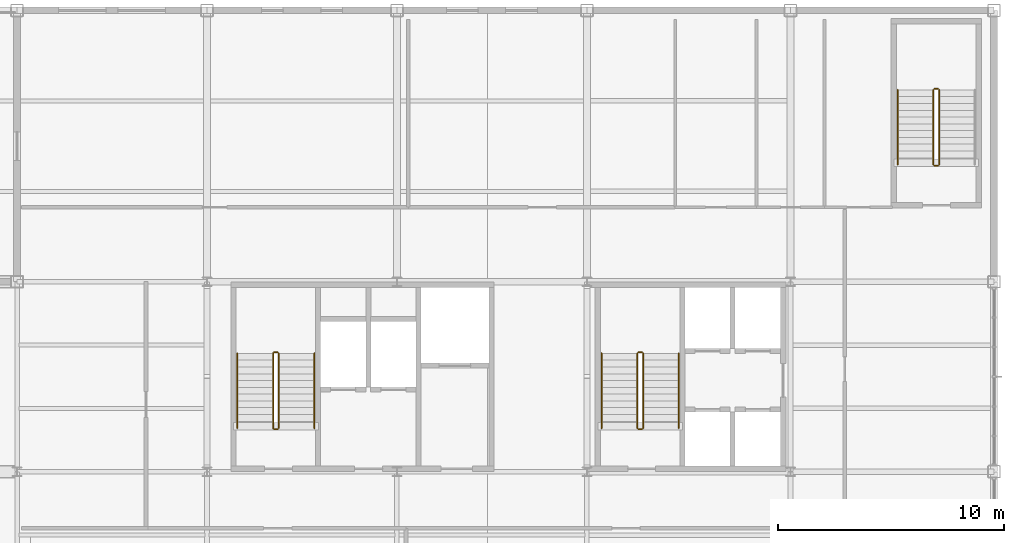
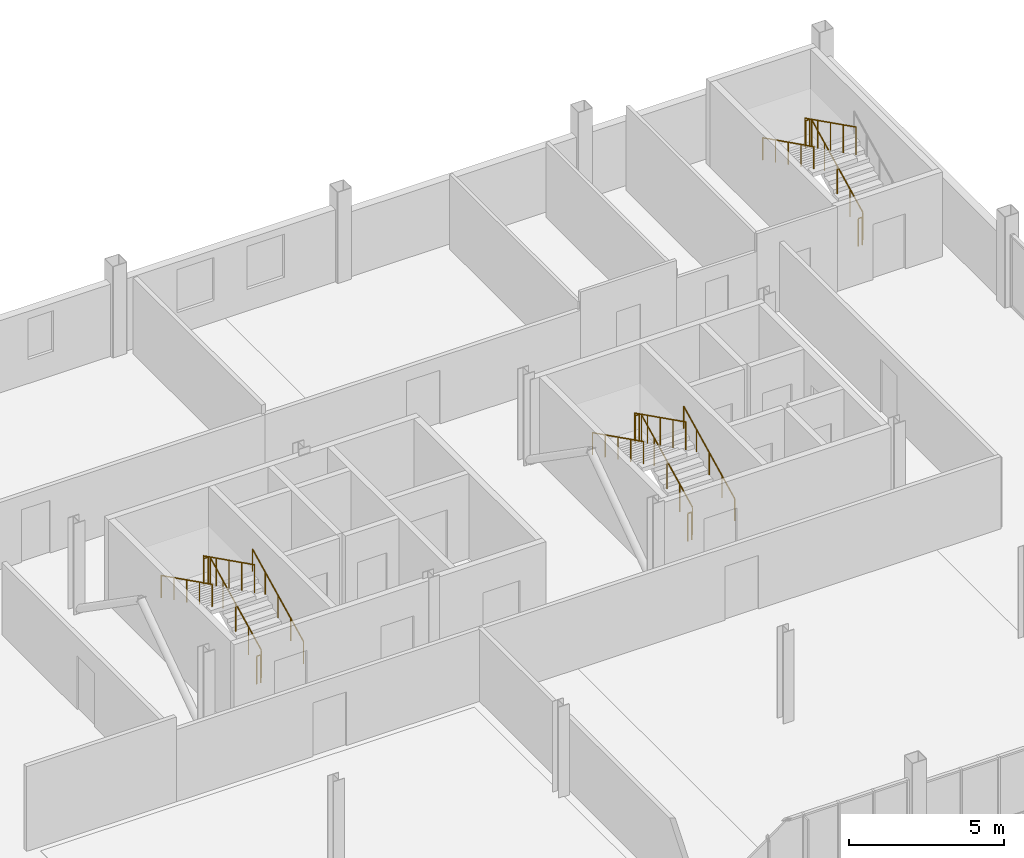
# One storey, part 17 of 18: 17 railings.
"""IFC4 building model written with IfcOpenShell, lengths in metres."""

import ifcopenshell
import ifcopenshell.guid

model = None  # the IFC model being written
_history = None  # IfcOwnerHistory: only IFC2X3 demands one
_inside = {}  # id of a spatial element -> (the spatial element, [elements in it])
_under = {}  # id of a project, library or spatial element -> (it, [spatial elements below it])
_declared = {}  # id of a project -> (the project, [libraries it declares])
_typed = {}  # id of a type object -> (the type object, [elements of that type])
_made_of = {}  # id of a material, layer set ... -> (it, [elements and type objects made of it])


def new_model(schema):
    """Start an empty IFC model of exactly this schema.

    Asked for "IFC4X3", IfcOpenShell would pick the latest addendum, in which some entities
    have other attributes; the version numbers below select the first issue.
    IFC2X3 requires an IfcOwnerHistory on every rooted entity: one is made here for all.
    """
    global model, _history
    if schema == "IFC4X3":
        model = ifcopenshell.file(schema_version=(4, 3, 0, 0))
    else:
        model = ifcopenshell.file(schema=schema)
    _inside.clear()
    _under.clear()
    _declared.clear()
    _typed.clear()
    _made_of.clear()
    _history = None
    if model.schema == "IFC2X3":
        org = make("IfcOrganization", Name="unknown")
        user = make(
            "IfcPersonAndOrganization",
            ThePerson=make("IfcPerson", FamilyName="unknown"),
            TheOrganization=org,
        )
        app = make(
            "IfcApplication",
            ApplicationDeveloper=org,
            Version="unknown",
            ApplicationFullName="unknown",
            ApplicationIdentifier="unknown",
        )
        _history = make(
            "IfcOwnerHistory",
            OwningUser=user,
            OwningApplication=app,
            ChangeAction="ADDED",
            CreationDate=0,
        )
    return model


def make(cls, **values):
    """One entity of the class cls with the attributes given. An attribute that is None is left unset."""
    return model.create_entity(
        cls, **{name: value for name, value in values.items() if value is not None}
    )


def rooted(cls, **values):
    """An entity with a GlobalId (a new one), such as an element, a storey or a relation."""
    return make(cls, GlobalId=ifcopenshell.guid.new(), OwnerHistory=_history, **values)


def si_unit(unit_type, name, prefix=None):
    """IfcSIUnit, for example si_unit("LENGTHUNIT", "METRE", prefix="MILLI")."""
    return make("IfcSIUnit", UnitType=unit_type, Prefix=prefix, Name=name)


def assignment(units):
    """IfcUnitAssignment: the units of a project."""
    return None if units is None else make("IfcUnitAssignment", Units=units)


def point(xyz):
    """IfcCartesianPoint."""
    return None if xyz is None else make("IfcCartesianPoint", Coordinates=xyz)


def direction(xyz):
    """IfcDirection."""
    return None if xyz is None else make("IfcDirection", DirectionRatios=xyz)


def frame(location, z_axis=None, x_axis=None):
    """IfcAxis2Placement3D, a coordinate frame: its origin and axes. An axis left out is left unset."""
    return make(
        "IfcAxis2Placement3D",
        Location=point(location),
        Axis=direction(z_axis),
        RefDirection=direction(x_axis),
    )


def frame_2d(location, x_axis=None):
    """IfcAxis2Placement2D, a coordinate frame in the plane: its origin and x axis."""
    return make(
        "IfcAxis2Placement2D", Location=point(location), RefDirection=direction(x_axis)
    )


def origin():
    """The frame at (0, 0, 0) with its axes left unset."""
    return frame((0.0, 0.0, 0.0))


def origin_2d():
    """The frame at (0, 0) in the plane with its x axis left unset."""
    return frame_2d((0.0, 0.0))


def place(relative_to, where):
    """IfcLocalPlacement: puts the frame where relative to a parent placement (None: the world)."""
    return make(
        "IfcLocalPlacement", PlacementRelTo=relative_to, RelativePlacement=where
    )


def context(
    kind, dimensions, precision=None, world=None, true_north=None, identifier=None
):
    """IfcGeometricRepresentationContext, for example the 3D "Model" context."""
    return make(
        "IfcGeometricRepresentationContext",
        ContextIdentifier=identifier,
        ContextType=kind,
        CoordinateSpaceDimension=dimensions,
        Precision=precision,
        WorldCoordinateSystem=world,
        TrueNorth=true_north,
    )


def subcontext(parent, identifier, kind, view, scale=None):
    """IfcGeometricRepresentationSubContext, for example "Body" below "Model"."""
    return make(
        "IfcGeometricRepresentationSubContext",
        ContextIdentifier=identifier,
        ContextType=kind,
        ParentContext=parent,
        TargetScale=scale,
        TargetView=view,
    )


def project(units=None, contexts=None):
    """IfcProject with its units and contexts."""
    return rooted(
        "IfcProject",
        Name="project",
        RepresentationContexts=contexts,
        UnitsInContext=assignment(units),
    )


def spatial(cls, under=None, at=None, **own):
    """A site, building, storey or space (cls), placed at a placement, below another one or the project."""
    s = rooted(cls, ObjectPlacement=at, **own)
    if under is not None:
        _under.setdefault(under.id(), (under, []))[1].append(s)
    return s


def profile(cls, at=None, kind="AREA", **sizes):
    """A parametric profile (cls). Its sizes go by their IFC names, for example OverallWidth=200.0."""
    return make(cls, ProfileType=kind, Position=at, **sizes)


def circle(**sizes):
    """IfcCircleProfileDef."""
    return profile("IfcCircleProfileDef", **sizes)


def extrude(swept, where, along, depth):
    """IfcExtrudedAreaSolid: the profile swept, set in the frame where, extruded along a direction by depth."""
    return make(
        "IfcExtrudedAreaSolid",
        SweptArea=swept,
        Position=where,
        ExtrudedDirection=direction(along),
        Depth=depth,
    )


def shape(context_of_items, identifier, shape_type, items):
    """IfcShapeRepresentation: the items that make up one representation, for example the "Body"."""
    return make(
        "IfcShapeRepresentation",
        ContextOfItems=context_of_items,
        RepresentationIdentifier=identifier,
        RepresentationType=shape_type,
        Items=items,
    )


def material(Name=None, Category=None):
    """IfcMaterial."""
    return make("IfcMaterial", Name=Name, Category=Category)


def layer(
    of_material, thickness, ventilated=None, Name=None, Category=None, Priority=None
):
    """IfcMaterialLayer: one layer of a wall or slab, of a material (None: an air gap)."""
    return make(
        "IfcMaterialLayer",
        Material=of_material,
        LayerThickness=thickness,
        IsVentilated=ventilated,
        Name=Name,
        Category=Category,
        Priority=Priority,
    )


def layer_set(layers, Name=None):
    """IfcMaterialLayerSet."""
    return make("IfcMaterialLayerSet", MaterialLayers=layers, LayerSetName=Name)


def made_of(thing, what):
    """Note that an element or type object is made of a material, layer set ...; save() writes the relation."""
    if what is not None:
        _made_of.setdefault(what.id(), (what, []))[1].append(thing)
    return thing


def type_object(cls, material=None, **own):
    """A type object (cls), such as IfcWallType, which elements share."""
    return made_of(rooted(cls, **own), material)


def element(
    cls,
    number,
    at=None,
    inside=None,
    cuts=None,
    type_object=None,
    material=None,
    context=None,
    identifier="Body",
    shape_type=None,
    held_by="IfcProductDefinitionShape",
    body=None,
    shapes=None,
    **own,
):
    """One element of the class cls, such as IfcWall. Its Tag is "e" and its number.

    at: its placement. inside: the storey or other place that contains it. cuts: it is an
    opening in that element (IfcRelVoidsElement). A single representation is given by context,
    identifier, shape_type and body (its items); several are given by shapes. held_by: the class
    of the entity that holds the representations. save() writes the other relations.
    """
    e = rooted(cls, Tag="e%d" % number, ObjectPlacement=at, **own)
    if body is not None:
        shapes = [shape(context, identifier, shape_type, body)]
    if shapes is not None:
        e.Representation = make(held_by, Representations=shapes)
    if inside is not None:
        _inside.setdefault(inside.id(), (inside, []))[1].append(e)
    if cuts is not None:
        rooted(
            "IfcRelVoidsElement", RelatingBuildingElement=cuts, RelatedOpeningElement=e
        )
    if type_object is not None:
        _typed.setdefault(type_object.id(), (type_object, []))[1].append(e)
    return made_of(e, material)


def aggregate(whole, parts):
    """IfcRelAggregates: a whole, such as a stair, and the parts it consists of."""
    return rooted("IfcRelAggregates", RelatingObject=whole, RelatedObjects=parts)


def save(model, path):
    """Write the relations noted so far, then the file.

    IfcRelAggregates (storeys below a building ...), IfcRelContainedInSpatialStructure (elements
    in a storey), IfcRelDefinesByType, IfcRelAssociatesMaterial and IfcRelDeclares: one each for
    every whole, place, type object, material and project.
    """
    for whole, parts in _under.values():
        aggregate(whole, parts)
    for where, things in _inside.values():
        rooted(
            "IfcRelContainedInSpatialStructure",
            RelatedElements=things,
            RelatingStructure=where,
        )
    for kind, things in _typed.values():
        rooted("IfcRelDefinesByType", RelatedObjects=things, RelatingType=kind)
    for what, things in _made_of.values():
        rooted("IfcRelAssociatesMaterial", RelatedObjects=things, RelatingMaterial=what)
    for by, libraries in _declared.values():
        rooted("IfcRelDeclares", RelatingContext=by, RelatedDefinitions=libraries)
    model.write(path)


model = new_model("IFC4")

# Units and contexts
model_context = context("Model", 3, precision=1e-05, world=origin(), true_north=direction((0.0, 1.0)))
body_context = subcontext(model_context, "Body", "Model", "MODEL_VIEW")
ifc_project = project(units=[si_unit("LENGTHUNIT", "METRE"), si_unit("AREAUNIT", "SQUARE_METRE"), si_unit("VOLUMEUNIT", "CUBIC_METRE"), si_unit("PLANEANGLEUNIT", "RADIAN"), si_unit("MASSUNIT", "GRAM", prefix="KILO")], contexts=[model_context])

# Site, building, storey
site_placement = place(None, origin())
site = spatial("IfcSite", under=ifc_project, at=site_placement, CompositionType="ELEMENT")
building_placement = place(site_placement, origin())
building = spatial("IfcBuilding", under=site, at=building_placement, Name="Yukiwa Park Conservatory and Herbarium", CompositionType="ELEMENT")
storey_placement = place(building_placement, frame((0.0, 0.0, 21.0)))
storey = spatial("IfcBuildingStorey", under=building, at=storey_placement, Name="L05", CompositionType="ELEMENT", Elevation=21.0)

# Railings
ifc_material_1 = material(Name="Steel Q235B", Category="steel")
ifc_layer_1 = layer(ifc_material_1, 0.050048828125)
ifc_layer_set_1 = layer_set([ifc_layer_1], Name="Steel Q235B")
railing_type_1 = type_object("IfcRailingType", Name="RL-STAIR-GUARD-1120", PredefinedType="BALUSTRADE", material=ifc_layer_set_1)
railing_1_placement = place(storey_placement, frame((136.3701171875, 96.72998046875, 0.14990234375)))
element("IfcRailing", 1, at=railing_1_placement, inside=storey, type_object=railing_type_1, Name="L05 ST-T1 stair guard 1", PredefinedType="BALUSTRADE", context=body_context, shape_type="SweptSolid", body=[
    extrude(circle(Radius=0.02392578125, at=origin_2d()), frame((0.0, 0.0, 1.09619140625), z_axis=(0.0, 0.894413956696, 0.447240063129), x_axis=(-1.0, 0.0, 0.0)), (0.0, 0.0, 1.0), 3.689697265625),
    extrude(circle(Radius=0.02099609375, at=origin_2d()), origin(), (0.0, 0.0, 1.0), 1.072021484375),
    extrude(circle(Radius=0.02099609375, at=origin_2d()), frame((0.0, 0.824951171875, 0.41259765625)), (0.0, 0.0, 1.0), 1.072021484375),
    extrude(circle(Radius=0.02099609375, at=origin_2d()), frame((0.0, 1.64990234375, 0.8251953125)), (0.0, 0.0, 1.0), 1.072021484375),
    extrude(circle(Radius=0.02099609375, at=origin_2d()), frame((0.0, 2.47509765625, 1.237548828125)), (0.0, 0.0, 1.0), 1.072021484375),
    extrude(circle(Radius=0.02099609375, at=origin_2d()), frame((0.0, 3.300048828125, 1.650146484375)), (0.0, 0.0, 1.0), 1.072021484375),
])
railing_2_placement = place(storey_placement, frame((136.320068359375, 100.080078125, 1.800048828125)))
element("IfcRailing", 2, at=railing_2_placement, inside=storey, type_object=railing_type_1, Name="L05 ST-T1 stair guard 2", PredefinedType="BALUSTRADE", context=body_context, shape_type="SweptSolid", body=[
    extrude(circle(Radius=0.02392578125, at=origin_2d()), frame((0.0, 0.0, 1.09619140625), z_axis=(-1.0, 0.0, 0.0), x_axis=(0.0, -1.0, 0.0)), (0.0, 0.0, 1.0), 0.150146484375),
    extrude(circle(Radius=0.02099609375, at=origin_2d()), origin(), (0.0, 0.0, 1.0), 1.072021484375),
    extrude(circle(Radius=0.02099609375, at=origin_2d()), frame((-0.150146484375, 0.0, 0.0)), (0.0, 0.0, 1.0), 1.072021484375),
])
railing_3_placement = place(storey_placement, frame((136.1201171875, 100.030029296875, 1.949951171875)))
element("IfcRailing", 3, at=railing_3_placement, inside=storey, type_object=railing_type_1, Name="L05 ST-T1 stair guard 3", PredefinedType="BALUSTRADE", context=body_context, shape_type="SweptSolid", body=[
    extrude(circle(Radius=0.02392578125, at=origin_2d()), frame((0.0, 0.0, 1.09619140625), z_axis=(0.0, -0.894413956696, 0.447240063129), x_axis=(1.0, 0.0, 0.0)), (0.0, 0.0, 1.0), 3.689697265625),
    extrude(circle(Radius=0.02099609375, at=origin_2d()), origin(), (0.0, 0.0, 1.0), 1.072021484375),
    extrude(circle(Radius=0.02099609375, at=origin_2d()), frame((0.0, -0.824951171875, 0.41259765625)), (0.0, 0.0, 1.0), 1.072021484375),
    extrude(circle(Radius=0.02099609375, at=origin_2d()), frame((0.0, -1.64990234375, 0.8251953125)), (0.0, 0.0, 1.0), 1.072021484375),
    extrude(circle(Radius=0.02099609375, at=origin_2d()), frame((0.0, -2.47509765625, 1.237548828125)), (0.0, 0.0, 1.0), 1.072021484375),
    extrude(circle(Radius=0.02099609375, at=origin_2d()), frame((0.0, -3.300048828125, 1.650146484375)), (0.0, 0.0, 1.0), 1.072021484375),
])
railing_4_placement = place(storey_placement, frame((136.320068359375, 96.679931640625, 0.0)))
element("IfcRailing", 4, at=railing_4_placement, inside=storey, type_object=railing_type_1, Name="L05 ST-T1 stair guard 4", PredefinedType="BALUSTRADE", context=body_context, shape_type="SweptSolid", body=[
    extrude(circle(Radius=0.02392578125, at=origin_2d()), frame((0.0, 0.0, 1.09619140625), z_axis=(-1.0, 0.0, 0.0), x_axis=(0.0, -1.0, 0.0)), (0.0, 0.0, 1.0), 0.150146484375),
    extrude(circle(Radius=0.02099609375, at=origin_2d()), origin(), (0.0, 0.0, 1.0), 1.072021484375),
    extrude(circle(Radius=0.02099609375, at=origin_2d()), frame((-0.150146484375, 0.0, 0.0)), (0.0, 0.0, 1.0), 1.072021484375),
])
railing_5_placement = place(storey_placement, frame((152.47998046875, 96.72998046875, 0.14990234375)))
element("IfcRailing", 5, at=railing_5_placement, inside=storey, type_object=railing_type_1, Name="L05 ST-T2 stair guard 1", PredefinedType="BALUSTRADE", context=body_context, shape_type="SweptSolid", body=[
    extrude(circle(Radius=0.02392578125, at=origin_2d()), frame((0.0, 0.0, 1.09619140625), z_axis=(0.0, 0.894413956696, 0.447240063129), x_axis=(-1.0, 0.0, 0.0)), (0.0, 0.0, 1.0), 3.689697265625),
    extrude(circle(Radius=0.02099609375, at=origin_2d()), origin(), (0.0, 0.0, 1.0), 1.072021484375),
    extrude(circle(Radius=0.02099609375, at=origin_2d()), frame((0.0, 0.824951171875, 0.41259765625)), (0.0, 0.0, 1.0), 1.072021484375),
    extrude(circle(Radius=0.02099609375, at=origin_2d()), frame((0.0, 1.64990234375, 0.8251953125)), (0.0, 0.0, 1.0), 1.072021484375),
    extrude(circle(Radius=0.02099609375, at=origin_2d()), frame((0.0, 2.47509765625, 1.237548828125)), (0.0, 0.0, 1.0), 1.072021484375),
    extrude(circle(Radius=0.02099609375, at=origin_2d()), frame((0.0, 3.300048828125, 1.650146484375)), (0.0, 0.0, 1.0), 1.072021484375),
])
railing_6_placement = place(storey_placement, frame((152.429931640625, 100.080078125, 1.800048828125)))
element("IfcRailing", 6, at=railing_6_placement, inside=storey, type_object=railing_type_1, Name="L05 ST-T2 stair guard 2", PredefinedType="BALUSTRADE", context=body_context, shape_type="SweptSolid", body=[
    extrude(circle(Radius=0.02392578125, at=origin_2d()), frame((0.0, 0.0, 1.09619140625), z_axis=(-1.0, 0.0, 0.0), x_axis=(0.0, -1.0, 0.0)), (0.0, 0.0, 1.0), 0.14990234375),
    extrude(circle(Radius=0.02099609375, at=origin_2d()), origin(), (0.0, 0.0, 1.0), 1.072021484375),
    extrude(circle(Radius=0.02099609375, at=origin_2d()), frame((-0.14990234375, 0.0, 0.0)), (0.0, 0.0, 1.0), 1.072021484375),
])
railing_7_placement = place(storey_placement, frame((152.22998046875, 100.030029296875, 1.949951171875)))
element("IfcRailing", 7, at=railing_7_placement, inside=storey, type_object=railing_type_1, Name="L05 ST-T2 stair guard 3", PredefinedType="BALUSTRADE", context=body_context, shape_type="SweptSolid", body=[
    extrude(circle(Radius=0.02392578125, at=origin_2d()), frame((0.0, 0.0, 1.09619140625), z_axis=(0.0, -0.894413956696, 0.447240063129), x_axis=(1.0, 0.0, 0.0)), (0.0, 0.0, 1.0), 3.689697265625),
    extrude(circle(Radius=0.02099609375, at=origin_2d()), origin(), (0.0, 0.0, 1.0), 1.072021484375),
    extrude(circle(Radius=0.02099609375, at=origin_2d()), frame((0.0, -0.824951171875, 0.41259765625)), (0.0, 0.0, 1.0), 1.072021484375),
    extrude(circle(Radius=0.02099609375, at=origin_2d()), frame((0.0, -1.64990234375, 0.8251953125)), (0.0, 0.0, 1.0), 1.072021484375),
    extrude(circle(Radius=0.02099609375, at=origin_2d()), frame((0.0, -2.47509765625, 1.237548828125)), (0.0, 0.0, 1.0), 1.072021484375),
    extrude(circle(Radius=0.02099609375, at=origin_2d()), frame((0.0, -3.300048828125, 1.650146484375)), (0.0, 0.0, 1.0), 1.072021484375),
])
railing_8_placement = place(storey_placement, frame((152.429931640625, 96.679931640625, 0.0)))
element("IfcRailing", 8, at=railing_8_placement, inside=storey, type_object=railing_type_1, Name="L05 ST-T2 stair guard 4", PredefinedType="BALUSTRADE", context=body_context, shape_type="SweptSolid", body=[
    extrude(circle(Radius=0.02392578125, at=origin_2d()), frame((0.0, 0.0, 1.09619140625), z_axis=(-1.0, 0.0, 0.0), x_axis=(0.0, -1.0, 0.0)), (0.0, 0.0, 1.0), 0.14990234375),
    extrude(circle(Radius=0.02099609375, at=origin_2d()), origin(), (0.0, 0.0, 1.0), 1.072021484375),
    extrude(circle(Radius=0.02099609375, at=origin_2d()), frame((-0.14990234375, 0.0, 0.0)), (0.0, 0.0, 1.0), 1.072021484375),
])
railing_9_placement = place(storey_placement, frame((165.570068359375, 108.3798828125, 0.14990234375)))
element("IfcRailing", 9, at=railing_9_placement, inside=storey, type_object=railing_type_1, Name="L05 ST-T3 stair guard 1", PredefinedType="BALUSTRADE", context=body_context, shape_type="SweptSolid", body=[
    extrude(circle(Radius=0.02392578125, at=origin_2d()), frame((0.0, 0.0, 1.09619140625), z_axis=(0.0, 0.894413956696, 0.447240063129), x_axis=(-1.0, 0.0, 0.0)), (0.0, 0.0, 1.0), 3.689697265625),
    extrude(circle(Radius=0.02099609375, at=origin_2d()), origin(), (0.0, 0.0, 1.0), 1.072021484375),
    extrude(circle(Radius=0.02099609375, at=origin_2d()), frame((0.0, 0.824951171875, 0.41259765625)), (0.0, 0.0, 1.0), 1.072021484375),
    extrude(circle(Radius=0.02099609375, at=origin_2d()), frame((0.0, 1.64990234375, 0.8251953125)), (0.0, 0.0, 1.0), 1.072021484375),
    extrude(circle(Radius=0.02099609375, at=origin_2d()), frame((0.0, 2.47509765625, 1.237548828125)), (0.0, 0.0, 1.0), 1.072021484375),
    extrude(circle(Radius=0.02099609375, at=origin_2d()), frame((0.0, 3.300048828125, 1.650146484375)), (0.0, 0.0, 1.0), 1.072021484375),
])
railing_10_placement = place(storey_placement, frame((165.52001953125, 111.72998046875, 1.800048828125)))
element("IfcRailing", 10, at=railing_10_placement, inside=storey, type_object=railing_type_1, Name="L05 ST-T3 stair guard 2", PredefinedType="BALUSTRADE", context=body_context, shape_type="SweptSolid", body=[
    extrude(circle(Radius=0.02392578125, at=origin_2d()), frame((0.0, 0.0, 1.09619140625), z_axis=(-1.0, 0.0, 0.0), x_axis=(0.0, -1.0, 0.0)), (0.0, 0.0, 1.0), 0.14990234375),
    extrude(circle(Radius=0.02099609375, at=origin_2d()), origin(), (0.0, 0.0, 1.0), 1.072021484375),
    extrude(circle(Radius=0.02099609375, at=origin_2d()), frame((-0.14990234375, 0.0, 0.0)), (0.0, 0.0, 1.0), 1.072021484375),
])
railing_11_placement = place(storey_placement, frame((165.320068359375, 111.679931640625, 1.949951171875)))
element("IfcRailing", 11, at=railing_11_placement, inside=storey, type_object=railing_type_1, Name="L05 ST-T3 stair guard 3", PredefinedType="BALUSTRADE", context=body_context, shape_type="SweptSolid", body=[
    extrude(circle(Radius=0.02392578125, at=origin_2d()), frame((0.0, 0.0, 1.09619140625), z_axis=(0.0, -0.894413956696, 0.447240063129), x_axis=(1.0, 0.0, 0.0)), (0.0, 0.0, 1.0), 3.689697265625),
    extrude(circle(Radius=0.02099609375, at=origin_2d()), origin(), (0.0, 0.0, 1.0), 1.072021484375),
    extrude(circle(Radius=0.02099609375, at=origin_2d()), frame((0.0, -0.824951171875, 0.41259765625)), (0.0, 0.0, 1.0), 1.072021484375),
    extrude(circle(Radius=0.02099609375, at=origin_2d()), frame((0.0, -1.64990234375, 0.8251953125)), (0.0, 0.0, 1.0), 1.072021484375),
    extrude(circle(Radius=0.02099609375, at=origin_2d()), frame((0.0, -2.47509765625, 1.237548828125)), (0.0, 0.0, 1.0), 1.072021484375),
    extrude(circle(Radius=0.02099609375, at=origin_2d()), frame((0.0, -3.300048828125, 1.650146484375)), (0.0, 0.0, 1.0), 1.072021484375),
])
railing_12_placement = place(storey_placement, frame((165.52001953125, 108.330078125, 0.0)))
element("IfcRailing", 12, at=railing_12_placement, inside=storey, type_object=railing_type_1, Name="L05 ST-T3 stair guard 4", PredefinedType="BALUSTRADE", context=body_context, shape_type="SweptSolid", body=[
    extrude(circle(Radius=0.02392578125, at=origin_2d()), frame((0.0, 0.0, 1.09619140625), z_axis=(-1.0, 0.0, 0.0), x_axis=(0.0, -1.0, 0.0)), (0.0, 0.0, 1.0), 0.14990234375),
    extrude(circle(Radius=0.02099609375, at=origin_2d()), origin(), (0.0, 0.0, 1.0), 1.072021484375),
    extrude(circle(Radius=0.02099609375, at=origin_2d()), frame((-0.14990234375, 0.0, 0.0)), (0.0, 0.0, 1.0), 1.072021484375),
])
ifc_material_2 = material(Name="Steel Q235B", Category="steel")
ifc_layer_2 = layer(ifc_material_2, 0.044921875)
ifc_layer_set_2 = layer_set([ifc_layer_2], Name="Steel Q235B")
railing_type_2 = type_object("IfcRailingType", Name="RL-STAIR-RAIL-900", PredefinedType="HANDRAIL", material=ifc_layer_set_2)
railing_13_placement = place(storey_placement, frame((137.949951171875, 96.72998046875, 0.14990234375)))
element("IfcRailing", 13, at=railing_13_placement, inside=storey, type_object=railing_type_2, Name="L05 ST-T1 stair handrail 1", PredefinedType="HANDRAIL", context=body_context, shape_type="SweptSolid", body=[
    extrude(circle(Radius=0.02392578125, at=origin_2d()), frame((0.0, 0.0, 0.8759765625), z_axis=(0.0, 0.894413956696, 0.447240063129), x_axis=(-1.0, 0.0, 0.0)), (0.0, 0.0, 1.0), 3.689697265625),
    extrude(circle(Radius=0.02099609375, at=origin_2d()), origin(), (0.0, 0.0, 1.0), 0.851806640625),
    extrude(circle(Radius=0.02099609375, at=origin_2d()), frame((0.0, 0.824951171875, 0.41259765625)), (0.0, 0.0, 1.0), 0.851806640625),
    extrude(circle(Radius=0.02099609375, at=origin_2d()), frame((0.0, 1.64990234375, 0.8251953125)), (0.0, 0.0, 1.0), 0.851806640625),
    extrude(circle(Radius=0.02099609375, at=origin_2d()), frame((0.0, 2.47509765625, 1.237548828125)), (0.0, 0.0, 1.0), 0.851806640625),
    extrude(circle(Radius=0.02099609375, at=origin_2d()), frame((0.0, 3.300048828125, 1.650146484375)), (0.0, 0.0, 1.0), 0.851806640625),
])
railing_14_placement = place(storey_placement, frame((134.5400390625, 100.030029296875, 1.949951171875)))
element("IfcRailing", 14, at=railing_14_placement, inside=storey, type_object=railing_type_2, Name="L05 ST-T1 stair handrail 2", PredefinedType="HANDRAIL", context=body_context, shape_type="SweptSolid", body=[
    extrude(circle(Radius=0.02392578125, at=origin_2d()), frame((0.0, 0.0, 0.8759765625), z_axis=(0.0, -0.894413956696, 0.447240063129), x_axis=(1.0, 0.0, 0.0)), (0.0, 0.0, 1.0), 3.689697265625),
    extrude(circle(Radius=0.02099609375, at=origin_2d()), origin(), (0.0, 0.0, 1.0), 0.851806640625),
    extrude(circle(Radius=0.02099609375, at=origin_2d()), frame((0.0, -0.824951171875, 0.41259765625)), (0.0, 0.0, 1.0), 0.851806640625),
    extrude(circle(Radius=0.02099609375, at=origin_2d()), frame((0.0, -1.64990234375, 0.8251953125)), (0.0, 0.0, 1.0), 0.851806640625),
    extrude(circle(Radius=0.02099609375, at=origin_2d()), frame((0.0, -2.47509765625, 1.237548828125)), (0.0, 0.0, 1.0), 0.851806640625),
    extrude(circle(Radius=0.02099609375, at=origin_2d()), frame((0.0, -3.300048828125, 1.650146484375)), (0.0, 0.0, 1.0), 0.851806640625),
])
railing_15_placement = place(storey_placement, frame((154.06005859375, 96.72998046875, 0.14990234375)))
element("IfcRailing", 15, at=railing_15_placement, inside=storey, type_object=railing_type_2, Name="L05 ST-T2 stair handrail 1", PredefinedType="HANDRAIL", context=body_context, shape_type="SweptSolid", body=[
    extrude(circle(Radius=0.02392578125, at=origin_2d()), frame((0.0, 0.0, 0.8759765625), z_axis=(0.0, 0.894413956696, 0.447240063129), x_axis=(-1.0, 0.0, 0.0)), (0.0, 0.0, 1.0), 3.689697265625),
    extrude(circle(Radius=0.02099609375, at=origin_2d()), origin(), (0.0, 0.0, 1.0), 0.851806640625),
    extrude(circle(Radius=0.02099609375, at=origin_2d()), frame((0.0, 0.824951171875, 0.41259765625)), (0.0, 0.0, 1.0), 0.851806640625),
    extrude(circle(Radius=0.02099609375, at=origin_2d()), frame((0.0, 1.64990234375, 0.8251953125)), (0.0, 0.0, 1.0), 0.851806640625),
    extrude(circle(Radius=0.02099609375, at=origin_2d()), frame((0.0, 2.47509765625, 1.237548828125)), (0.0, 0.0, 1.0), 0.851806640625),
    extrude(circle(Radius=0.02099609375, at=origin_2d()), frame((0.0, 3.300048828125, 1.650146484375)), (0.0, 0.0, 1.0), 0.851806640625),
])
for number, where, name in (
    (16, (150.64990234375, 100.030029296875, 1.949951171875), "L05 ST-T2 stair handrail 2"),
    (17, (163.739990234375, 111.679931640625, 1.949951171875), "L05 ST-T3 stair handrail 2"),
):
    element("IfcRailing", number, at=place(storey_placement, frame(where)), inside=storey, type_object=railing_type_2, Name=name, PredefinedType="HANDRAIL", context=body_context, shape_type="SweptSolid", body=[
        extrude(circle(Radius=0.02392578125, at=origin_2d()), frame((0.0, 0.0, 0.8759765625), z_axis=(0.0, -0.894413956696, 0.447240063129), x_axis=(1.0, 0.0, 0.0)), (0.0, 0.0, 1.0), 3.689697265625),
        extrude(circle(Radius=0.02099609375, at=origin_2d()), origin(), (0.0, 0.0, 1.0), 0.851806640625),
        extrude(circle(Radius=0.02099609375, at=origin_2d()), frame((0.0, -0.824951171875, 0.41259765625)), (0.0, 0.0, 1.0), 0.851806640625),
        extrude(circle(Radius=0.02099609375, at=origin_2d()), frame((0.0, -1.64990234375, 0.8251953125)), (0.0, 0.0, 1.0), 0.851806640625),
        extrude(circle(Radius=0.02099609375, at=origin_2d()), frame((0.0, -2.47509765625, 1.237548828125)), (0.0, 0.0, 1.0), 0.851806640625),
        extrude(circle(Radius=0.02099609375, at=origin_2d()), frame((0.0, -3.300048828125, 1.650146484375)), (0.0, 0.0, 1.0), 0.851806640625),
    ])

save(model, "model.ifc")
